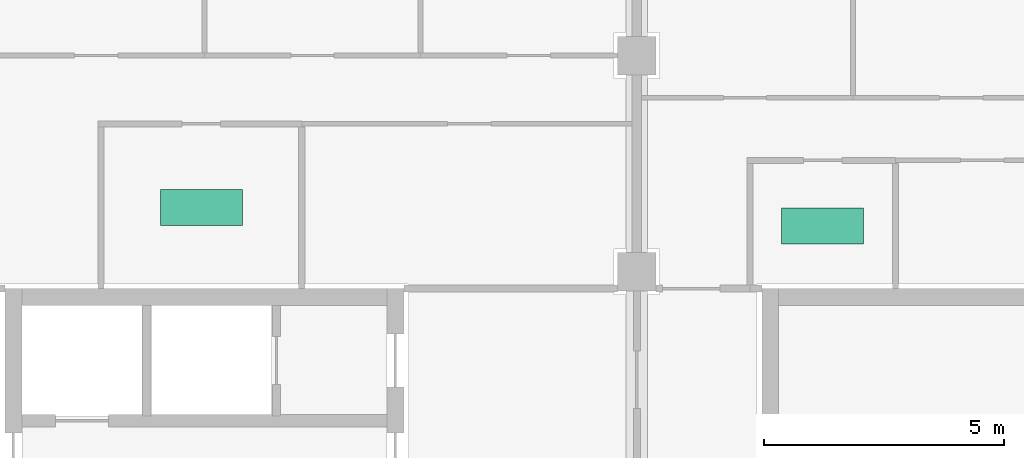
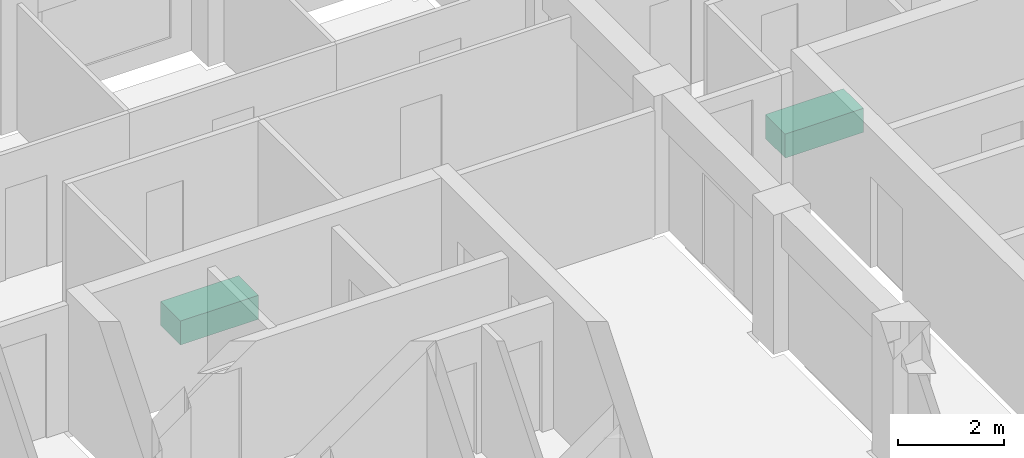
# One storey, part 9 of 9: 2 sanitary terminals.
"""IFC4 building model written with IfcOpenShell, lengths in metres."""

from ifc_helpers import new_model, si_unit, direction, frame, origin, origin_2d, place, context, subcontext, project, spatial, rectangle, extrude, material, type_object, element, save


model = new_model("IFC4")

# Units and contexts
model_context = context("Model", 3, precision=1e-05, world=origin(), true_north=direction((0.0, 1.0)))
body_context = subcontext(model_context, "Body", "Model", "MODEL_VIEW")
ifc_project = project(units=[si_unit("LENGTHUNIT", "METRE"), si_unit("AREAUNIT", "SQUARE_METRE"), si_unit("VOLUMEUNIT", "CUBIC_METRE"), si_unit("PLANEANGLEUNIT", "RADIAN"), si_unit("MASSUNIT", "GRAM", prefix="KILO")], contexts=[model_context])

# Site, building, storey
site_placement = place(None, origin())
site = spatial("IfcSite", under=ifc_project, at=site_placement, CompositionType="ELEMENT")
building_placement = place(site_placement, origin())
building = spatial("IfcBuilding", under=site, at=building_placement, Name="Girih Gate Residences", CompositionType="ELEMENT")
storey_placement = place(building_placement, frame((0.0, 0.0, 179.5)))
storey = spatial("IfcBuildingStorey", under=building, at=storey_placement, Name="L49", CompositionType="ELEMENT", Elevation=179.5)

# Sanitary terminals
ifc_material = material(Name="Acrylic")
sanitary_terminal_type = type_object("IfcSanitaryTerminalType", Name="Bath 1700", PredefinedType="BATH", material=ifc_material)
for number, where, z_axis, x_axis, name in (
    (1, (8.93798828125, 41.833984375, 0.0), (0.0, 0.0, 1.0), (1.0, 0.0, 0.0), "Bath 1700 L49"),
    (2, (21.864013671875, 41.4541015625, 0.0), (0.0, 0.0, 1.0), (1.0, 0.0, 0.0), "Bath 1700 L49"),
):
    element("IfcSanitaryTerminal", number, at=place(storey_placement, frame(where, z_axis=z_axis, x_axis=x_axis)), inside=storey, type_object=sanitary_terminal_type, Name=name, PredefinedType="BATH", context=body_context, shape_type="SweptSolid", body=[
        extrude(rectangle(XDim=1.699951171875, YDim=0.75, at=origin_2d()), origin(), (0.0, 0.0, 1.0), 0.550048828125),
    ])

save(model, "model.ifc")
